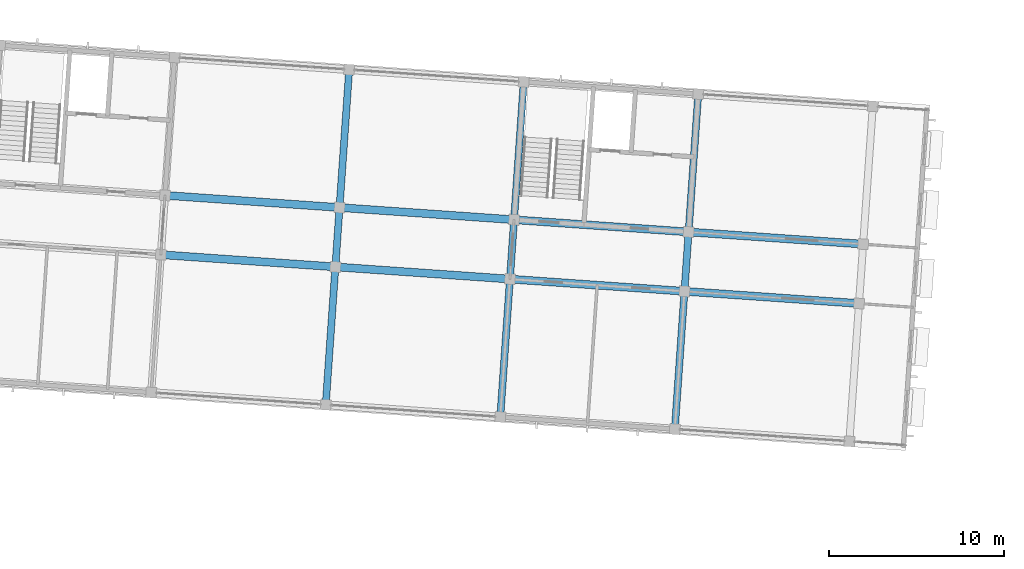
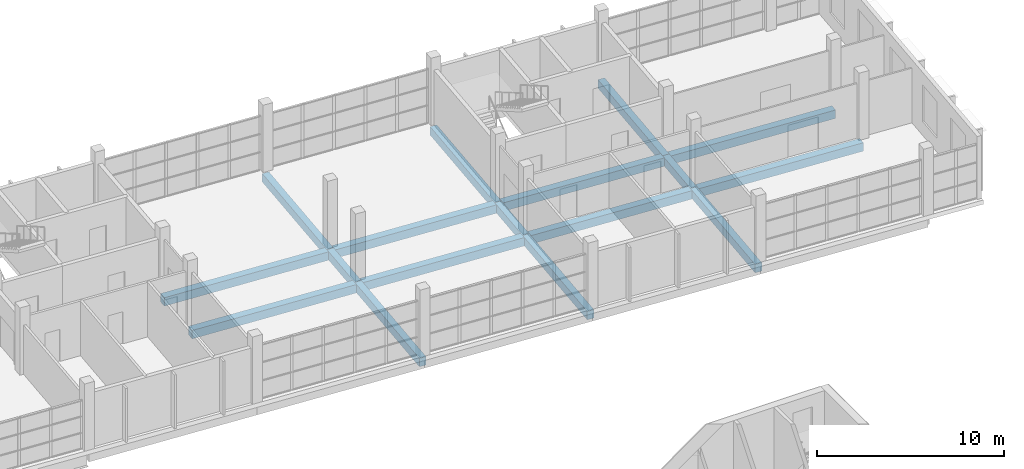
# One storey, part 45 of 115: 17 beams.
"""IFC4 building model written with IfcOpenShell, lengths in metres."""

from ifc_helpers import new_model, si_unit, direction, frame, origin, origin_2d, place, context, subcontext, project, spatial, rectangle, extrude, material, material_profile, profile_set, type_object, element, save


model = new_model("IFC4")

# Units and contexts
model_context = context("Model", 3, precision=1e-05, world=origin(), true_north=direction((0.0, 1.0)))
body_context = subcontext(model_context, "Body", "Model", "MODEL_VIEW")
ifc_project = project(units=[si_unit("LENGTHUNIT", "METRE"), si_unit("AREAUNIT", "SQUARE_METRE"), si_unit("VOLUMEUNIT", "CUBIC_METRE"), si_unit("PLANEANGLEUNIT", "RADIAN"), si_unit("MASSUNIT", "GRAM", prefix="KILO")], contexts=[model_context])

# Site, building, storey
site_placement = place(None, origin())
site = spatial("IfcSite", under=ifc_project, at=site_placement, CompositionType="ELEMENT")
building_placement = place(site_placement, origin())
building = spatial("IfcBuilding", under=site, at=building_placement, Name="Windward Yard Aquatics Centre", CompositionType="ELEMENT")
storey_placement = place(building_placement, frame((0.0, 0.0, 5.0)))
storey = spatial("IfcBuildingStorey", under=building, at=storey_placement, Name="L01", CompositionType="ELEMENT", Elevation=5.0)

# Beams
ifc_material = material(Name="Concrete C40/50", Category="concrete")
ifc_material_profile_1 = material_profile(ifc_material, rectangle(XDim=0.39990234375, YDim=0.550048828125, at=origin_2d()), Name="RC 400x550")
ifc_profile_set_1 = profile_set([ifc_material_profile_1], Name="Concrete C40/50")
beam_type_1 = type_object("IfcBeamType", Name="W RC 400x550 beam Concrete C40/50", PredefinedType="BEAM", material=ifc_profile_set_1)
beam_1_placement = place(storey_placement, frame((137.7900390625, 114.7724609375, -0.554931640625), z_axis=(0.069779923244, 0.997562410234, 0.0), x_axis=(-0.997562410234, 0.069779923244, 0.0)))
element("IfcBeam", 1, at=beam_1_placement, inside=storey, type_object=beam_type_1, Name="W.BV.L01.4.A", PredefinedType="BEAM", context=body_context, shape_type="SweptSolid", body=[
    extrude(rectangle(XDim=0.39990234375, YDim=0.550048828125, at=origin_2d()), origin(), (0.0, 0.0, 1.0), 7.900146484375),
])
beam_2_placement = place(storey_placement, frame((138.34130859375, 122.6533203125, -0.554931640625), z_axis=(0.069726227042, 0.997566164854, 0.0), x_axis=(-0.997566164854, 0.069726227042, 0.0)))
element("IfcBeam", 2, at=beam_2_placement, inside=storey, type_object=beam_type_1, Name="W.BV.L01.4.B", PredefinedType="BEAM", context=body_context, shape_type="SweptSolid", body=[
    extrude(rectangle(XDim=0.39990234375, YDim=0.550048828125, at=origin_2d()), origin(), (0.0, 0.0, 1.0), 3.39990234375),
])
beam_3_placement = place(storey_placement, frame((138.578369140625, 126.044921875, -0.554931640625), z_axis=(0.069751320509, 0.997564410596, 0.0), x_axis=(-0.997564410596, 0.069751320509, 0.0)))
element("IfcBeam", 3, at=beam_3_placement, inside=storey, type_object=beam_type_1, Name="W.BV.L01.4.C", PredefinedType="BEAM", context=body_context, shape_type="SweptSolid", body=[
    extrude(rectangle(XDim=0.39990234375, YDim=0.550048828125, at=origin_2d()), origin(), (0.0, 0.0, 1.0), 7.89990234375),
])
beam_4_placement = place(storey_placement, frame((147.765869140625, 114.07470703125, -0.554931640625), z_axis=(0.0697491702, 0.997564560947, 0.0), x_axis=(-0.997564560947, 0.0697491702, 0.0)))
element("IfcBeam", 4, at=beam_4_placement, inside=storey, type_object=beam_type_1, Name="W.BV.L01.5.A", PredefinedType="BEAM", context=body_context, shape_type="SweptSolid", body=[
    extrude(rectangle(XDim=0.39990234375, YDim=0.550048828125, at=origin_2d()), origin(), (0.0, 0.0, 1.0), 7.900146484375),
])
beam_5_placement = place(storey_placement, frame((148.31689453125, 121.95556640625, -0.554931640625), z_axis=(0.069721232637, 0.997566513933, 0.0), x_axis=(-0.997566513933, 0.069721232637, 0.0)))
element("IfcBeam", 5, at=beam_5_placement, inside=storey, type_object=beam_type_1, Name="W.BV.L01.5.B", PredefinedType="BEAM", context=body_context, shape_type="SweptSolid", body=[
    extrude(rectangle(XDim=0.39990234375, YDim=0.550048828125, at=origin_2d()), origin(), (0.0, 0.0, 1.0), 3.400146484375),
])
beam_6_placement = place(storey_placement, frame((148.553955078125, 125.347412109375, -0.554931640625), z_axis=(0.069751320509, 0.997564410596, 0.0), x_axis=(-0.997564410596, 0.069751320509, 0.0)))
element("IfcBeam", 6, at=beam_6_placement, inside=storey, type_object=beam_type_1, Name="W.BV.L01.5.C", PredefinedType="BEAM", context=body_context, shape_type="SweptSolid", body=[
    extrude(rectangle(XDim=0.39990234375, YDim=0.550048828125, at=origin_2d()), origin(), (0.0, 0.0, 1.0), 7.89990234375),
])
beam_7_placement = place(storey_placement, frame((157.741455078125, 113.377197265625, -0.554931640625), z_axis=(0.0697491702, 0.997564560947, 0.0), x_axis=(-0.997564560947, 0.0697491702, 0.0)))
element("IfcBeam", 7, at=beam_7_placement, inside=storey, type_object=beam_type_1, Name="W.BV.L01.6.A", PredefinedType="BEAM", context=body_context, shape_type="SweptSolid", body=[
    extrude(rectangle(XDim=0.39990234375, YDim=0.550048828125, at=origin_2d()), origin(), (0.0, 0.0, 1.0), 7.900146484375),
])
beam_8_placement = place(storey_placement, frame((158.29248046875, 121.258056640625, -0.554931640625), z_axis=(0.069797686069, 0.997561167558, 0.0), x_axis=(-0.997561167558, 0.069797686069, 0.0)))
element("IfcBeam", 8, at=beam_8_placement, inside=storey, type_object=beam_type_1, Name="W.BV.L01.6.B", PredefinedType="BEAM", context=body_context, shape_type="SweptSolid", body=[
    extrude(rectangle(XDim=0.39990234375, YDim=0.550048828125, at=origin_2d()), origin(), (0.0, 0.0, 1.0), 3.39990234375),
])
beam_9_placement = place(storey_placement, frame((158.52978515625, 124.649658203125, -0.554931640625), z_axis=(0.0697491702, 0.997564560947, 0.0), x_axis=(-0.997564560947, 0.0697491702, 0.0)))
element("IfcBeam", 9, at=beam_9_placement, inside=storey, type_object=beam_type_1, Name="W.BV.L01.6.C", PredefinedType="BEAM", context=body_context, shape_type="SweptSolid", body=[
    extrude(rectangle(XDim=0.39990234375, YDim=0.550048828125, at=origin_2d()), origin(), (0.0, 0.0, 1.0), 7.900146484375),
])
ifc_material_profile_2 = material_profile(ifc_material, rectangle(XDim=0.449951171875, YDim=0.550048828125, at=origin_2d()), Name="RC 450x550")
ifc_profile_set_2 = profile_set([ifc_material_profile_2], Name="Concrete C40/50")
beam_type_2 = type_object("IfcBeamType", Name="W RC 450x550 beam Concrete C40/50", PredefinedType="BEAM", material=ifc_profile_set_2)
beam_10_placement = place(storey_placement, frame((128.365478515625, 123.3505859375, -0.554931640625), z_axis=(0.997566223406, -0.069725389346, 0.0), x_axis=(0.069725389346, 0.997566223406, 0.0)))
element("IfcBeam", 10, at=beam_10_placement, inside=storey, type_object=beam_type_2, Name="W.BU.L01.2.3", PredefinedType="BEAM", context=body_context, shape_type="SweptSolid", body=[
    extrude(rectangle(XDim=0.449951171875, YDim=0.550048828125, at=origin_2d()), origin(), (0.0, 0.0, 1.0), 10.000244140625),
])
for number, where, z_axis, x_axis, name in (
    (11, (138.34130859375, 122.6533203125, -0.554931640625), (0.997562707158, -0.069775678342, 0.0), (0.069775678342, 0.997562707158, 0.0), "W.BU.L01.2.4"),
    (12, (148.31689453125, 121.95556640625, -0.554931640625), (0.997564406228, -0.069751382981, 0.0), (0.069751382981, 0.997564406228, 0.0), "W.BU.L01.2.5"),
    (13, (158.29248046875, 121.258056640625, -0.554931640625), (0.997564406228, -0.069751382981, 0.0), (0.069751382981, 0.997564406228, 0.0), "W.BU.L01.2.6"),
    (14, (128.602783203125, 126.742431640625, -0.554931640625), (0.997564406228, -0.069751382981, 0.0), (0.069751382981, 0.997564406228, 0.0), "W.BU.L01.3.3"),
    (15, (138.578369140625, 126.044921875, -0.554931640625), (0.997564406228, -0.069751382981, 0.0), (0.069751382981, 0.997564406228, 0.0), "W.BU.L01.3.4"),
):
    element("IfcBeam", number, at=place(storey_placement, frame(where, z_axis=z_axis, x_axis=x_axis)), inside=storey, type_object=beam_type_2, Name=name, PredefinedType="BEAM", context=body_context, shape_type="SweptSolid", body=[
        extrude(rectangle(XDim=0.449951171875, YDim=0.550048828125, at=origin_2d()), origin(), (0.0, 0.0, 1.0), 10.0),
    ])
beam_11_placement = place(storey_placement, frame((148.553955078125, 125.347412109375, -0.554931640625), z_axis=(0.997562826017, -0.069773979021, 0.0), x_axis=(0.069773979021, 0.997562826017, 0.0)))
element("IfcBeam", 16, at=beam_11_placement, inside=storey, type_object=beam_type_2, Name="W.BU.L01.3.5", PredefinedType="BEAM", context=body_context, shape_type="SweptSolid", body=[
    extrude(rectangle(XDim=0.449951171875, YDim=0.550048828125, at=origin_2d()), origin(), (0.0, 0.0, 1.0), 10.000244140625),
])
beam_12_placement = place(storey_placement, frame((158.52978515625, 124.649658203125, -0.554931640625), z_axis=(0.997564406228, -0.069751382981, 0.0), x_axis=(0.069751382981, 0.997564406228, 0.0)))
element("IfcBeam", 17, at=beam_12_placement, inside=storey, type_object=beam_type_2, Name="W.BU.L01.3.6", PredefinedType="BEAM", context=body_context, shape_type="SweptSolid", body=[
    extrude(rectangle(XDim=0.449951171875, YDim=0.550048828125, at=origin_2d()), origin(), (0.0, 0.0, 1.0), 10.0),
])

save(model, "model.ifc")
